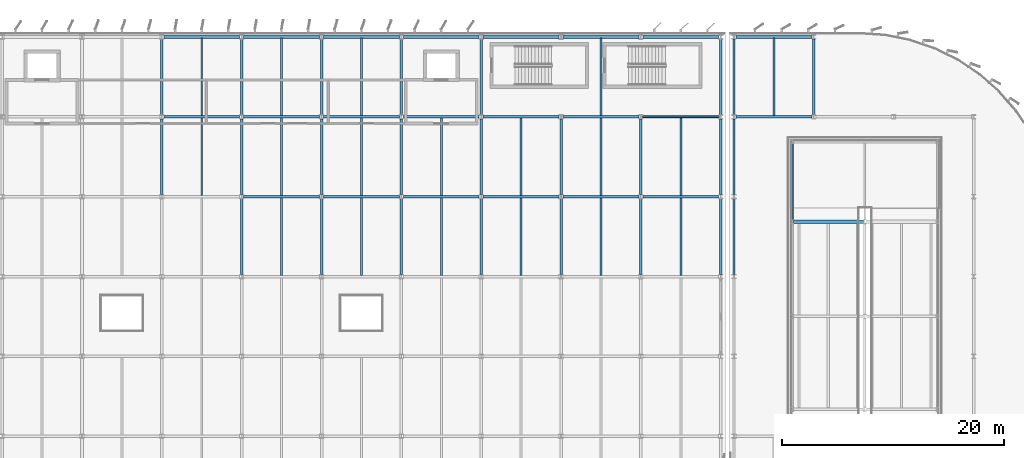
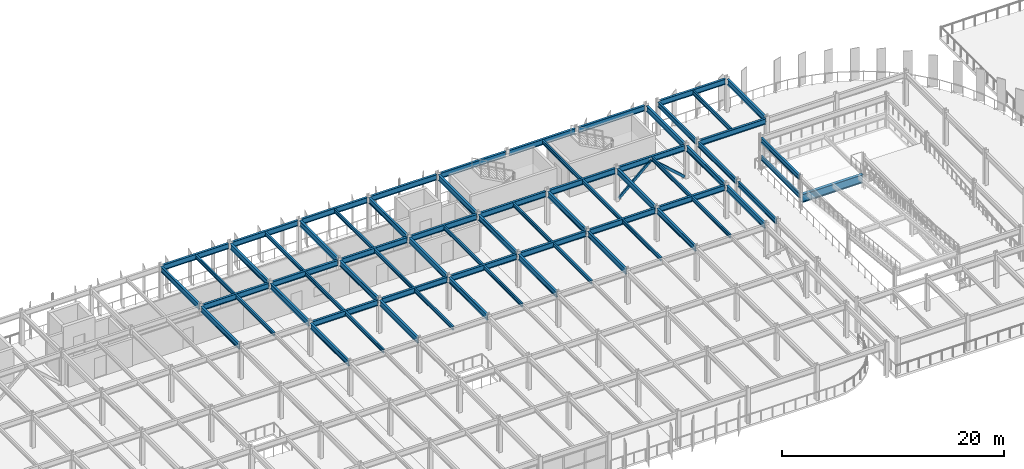
# One storey, part 20 of 52: 68 beams, 2 members.
"""IFC4 building model written with IfcOpenShell, lengths in metres."""

import ifcopenshell
import ifcopenshell.guid

model = None  # the IFC model being written
_history = None  # IfcOwnerHistory: only IFC2X3 demands one
_inside = {}  # id of a spatial element -> (the spatial element, [elements in it])
_under = {}  # id of a project, library or spatial element -> (it, [spatial elements below it])
_declared = {}  # id of a project -> (the project, [libraries it declares])
_typed = {}  # id of a type object -> (the type object, [elements of that type])
_made_of = {}  # id of a material, layer set ... -> (it, [elements and type objects made of it])


def new_model(schema):
    """Start an empty IFC model of exactly this schema.

    Asked for "IFC4X3", IfcOpenShell would pick the latest addendum, in which some entities
    have other attributes; the version numbers below select the first issue.
    IFC2X3 requires an IfcOwnerHistory on every rooted entity: one is made here for all.
    """
    global model, _history
    if schema == "IFC4X3":
        model = ifcopenshell.file(schema_version=(4, 3, 0, 0))
    else:
        model = ifcopenshell.file(schema=schema)
    _inside.clear()
    _under.clear()
    _declared.clear()
    _typed.clear()
    _made_of.clear()
    _history = None
    if model.schema == "IFC2X3":
        org = make("IfcOrganization", Name="unknown")
        user = make(
            "IfcPersonAndOrganization",
            ThePerson=make("IfcPerson", FamilyName="unknown"),
            TheOrganization=org,
        )
        app = make(
            "IfcApplication",
            ApplicationDeveloper=org,
            Version="unknown",
            ApplicationFullName="unknown",
            ApplicationIdentifier="unknown",
        )
        _history = make(
            "IfcOwnerHistory",
            OwningUser=user,
            OwningApplication=app,
            ChangeAction="ADDED",
            CreationDate=0,
        )
    return model


def make(cls, **values):
    """One entity of the class cls with the attributes given. An attribute that is None is left unset."""
    return model.create_entity(
        cls, **{name: value for name, value in values.items() if value is not None}
    )


def rooted(cls, **values):
    """An entity with a GlobalId (a new one), such as an element, a storey or a relation."""
    return make(cls, GlobalId=ifcopenshell.guid.new(), OwnerHistory=_history, **values)


def si_unit(unit_type, name, prefix=None):
    """IfcSIUnit, for example si_unit("LENGTHUNIT", "METRE", prefix="MILLI")."""
    return make("IfcSIUnit", UnitType=unit_type, Prefix=prefix, Name=name)


def assignment(units):
    """IfcUnitAssignment: the units of a project."""
    return None if units is None else make("IfcUnitAssignment", Units=units)


def point(xyz):
    """IfcCartesianPoint."""
    return None if xyz is None else make("IfcCartesianPoint", Coordinates=xyz)


def direction(xyz):
    """IfcDirection."""
    return None if xyz is None else make("IfcDirection", DirectionRatios=xyz)


def frame(location, z_axis=None, x_axis=None):
    """IfcAxis2Placement3D, a coordinate frame: its origin and axes. An axis left out is left unset."""
    return make(
        "IfcAxis2Placement3D",
        Location=point(location),
        Axis=direction(z_axis),
        RefDirection=direction(x_axis),
    )


def frame_2d(location, x_axis=None):
    """IfcAxis2Placement2D, a coordinate frame in the plane: its origin and x axis."""
    return make(
        "IfcAxis2Placement2D", Location=point(location), RefDirection=direction(x_axis)
    )


def origin():
    """The frame at (0, 0, 0) with its axes left unset."""
    return frame((0.0, 0.0, 0.0))


def origin_2d():
    """The frame at (0, 0) in the plane with its x axis left unset."""
    return frame_2d((0.0, 0.0))


def place(relative_to, where):
    """IfcLocalPlacement: puts the frame where relative to a parent placement (None: the world)."""
    return make(
        "IfcLocalPlacement", PlacementRelTo=relative_to, RelativePlacement=where
    )


def context(
    kind, dimensions, precision=None, world=None, true_north=None, identifier=None
):
    """IfcGeometricRepresentationContext, for example the 3D "Model" context."""
    return make(
        "IfcGeometricRepresentationContext",
        ContextIdentifier=identifier,
        ContextType=kind,
        CoordinateSpaceDimension=dimensions,
        Precision=precision,
        WorldCoordinateSystem=world,
        TrueNorth=true_north,
    )


def subcontext(parent, identifier, kind, view, scale=None):
    """IfcGeometricRepresentationSubContext, for example "Body" below "Model"."""
    return make(
        "IfcGeometricRepresentationSubContext",
        ContextIdentifier=identifier,
        ContextType=kind,
        ParentContext=parent,
        TargetScale=scale,
        TargetView=view,
    )


def project(units=None, contexts=None):
    """IfcProject with its units and contexts."""
    return rooted(
        "IfcProject",
        Name="project",
        RepresentationContexts=contexts,
        UnitsInContext=assignment(units),
    )


def spatial(cls, under=None, at=None, **own):
    """A site, building, storey or space (cls), placed at a placement, below another one or the project."""
    s = rooted(cls, ObjectPlacement=at, **own)
    if under is not None:
        _under.setdefault(under.id(), (under, []))[1].append(s)
    return s


def profile(cls, at=None, kind="AREA", **sizes):
    """A parametric profile (cls). Its sizes go by their IFC names, for example OverallWidth=200.0."""
    return make(cls, ProfileType=kind, Position=at, **sizes)


def hollow_rectangle(**sizes):
    """IfcRectangleHollowProfileDef."""
    return profile("IfcRectangleHollowProfileDef", **sizes)


def i_section(**sizes):
    """IfcIShapeProfileDef."""
    return profile("IfcIShapeProfileDef", **sizes)


def extrude(swept, where, along, depth):
    """IfcExtrudedAreaSolid: the profile swept, set in the frame where, extruded along a direction by depth."""
    return make(
        "IfcExtrudedAreaSolid",
        SweptArea=swept,
        Position=where,
        ExtrudedDirection=direction(along),
        Depth=depth,
    )


def shape(context_of_items, identifier, shape_type, items):
    """IfcShapeRepresentation: the items that make up one representation, for example the "Body"."""
    return make(
        "IfcShapeRepresentation",
        ContextOfItems=context_of_items,
        RepresentationIdentifier=identifier,
        RepresentationType=shape_type,
        Items=items,
    )


def material(Name=None, Category=None):
    """IfcMaterial."""
    return make("IfcMaterial", Name=Name, Category=Category)


def material_profile(
    of_material, cross_section, Name=None, Category=None, Priority=None
):
    """IfcMaterialProfile: a cross section and its material."""
    return make(
        "IfcMaterialProfile",
        Name=Name,
        Material=of_material,
        Profile=cross_section,
        Priority=Priority,
        Category=Category,
    )


def profile_set(profiles, Name=None, composite=None):
    """IfcMaterialProfileSet."""
    return make(
        "IfcMaterialProfileSet",
        Name=Name,
        MaterialProfiles=profiles,
        CompositeProfile=composite,
    )


def made_of(thing, what):
    """Note that an element or type object is made of a material, layer set ...; save() writes the relation."""
    if what is not None:
        _made_of.setdefault(what.id(), (what, []))[1].append(thing)
    return thing


def type_object(cls, material=None, **own):
    """A type object (cls), such as IfcWallType, which elements share."""
    return made_of(rooted(cls, **own), material)


def element(
    cls,
    number,
    at=None,
    inside=None,
    cuts=None,
    type_object=None,
    material=None,
    context=None,
    identifier="Body",
    shape_type=None,
    held_by="IfcProductDefinitionShape",
    body=None,
    shapes=None,
    **own,
):
    """One element of the class cls, such as IfcWall. Its Tag is "e" and its number.

    at: its placement. inside: the storey or other place that contains it. cuts: it is an
    opening in that element (IfcRelVoidsElement). A single representation is given by context,
    identifier, shape_type and body (its items); several are given by shapes. held_by: the class
    of the entity that holds the representations. save() writes the other relations.
    """
    e = rooted(cls, Tag="e%d" % number, ObjectPlacement=at, **own)
    if body is not None:
        shapes = [shape(context, identifier, shape_type, body)]
    if shapes is not None:
        e.Representation = make(held_by, Representations=shapes)
    if inside is not None:
        _inside.setdefault(inside.id(), (inside, []))[1].append(e)
    if cuts is not None:
        rooted(
            "IfcRelVoidsElement", RelatingBuildingElement=cuts, RelatedOpeningElement=e
        )
    if type_object is not None:
        _typed.setdefault(type_object.id(), (type_object, []))[1].append(e)
    return made_of(e, material)


def aggregate(whole, parts):
    """IfcRelAggregates: a whole, such as a stair, and the parts it consists of."""
    return rooted("IfcRelAggregates", RelatingObject=whole, RelatedObjects=parts)


def save(model, path):
    """Write the relations noted so far, then the file.

    IfcRelAggregates (storeys below a building ...), IfcRelContainedInSpatialStructure (elements
    in a storey), IfcRelDefinesByType, IfcRelAssociatesMaterial and IfcRelDeclares: one each for
    every whole, place, type object, material and project.
    """
    for whole, parts in _under.values():
        aggregate(whole, parts)
    for where, things in _inside.values():
        rooted(
            "IfcRelContainedInSpatialStructure",
            RelatedElements=things,
            RelatingStructure=where,
        )
    for kind, things in _typed.values():
        rooted("IfcRelDefinesByType", RelatedObjects=things, RelatingType=kind)
    for what, things in _made_of.values():
        rooted("IfcRelAssociatesMaterial", RelatedObjects=things, RelatingMaterial=what)
    for by, libraries in _declared.values():
        rooted("IfcRelDeclares", RelatingContext=by, RelatedDefinitions=libraries)
    model.write(path)


model = new_model("IFC4")

# Units and contexts
model_context = context("Model", 3, precision=1e-05, world=origin(), true_north=direction((0.0, 1.0)))
body_context = subcontext(model_context, "Body", "Model", "MODEL_VIEW")
ifc_project = project(units=[si_unit("LENGTHUNIT", "METRE"), si_unit("AREAUNIT", "SQUARE_METRE"), si_unit("VOLUMEUNIT", "CUBIC_METRE"), si_unit("PLANEANGLEUNIT", "RADIAN"), si_unit("MASSUNIT", "GRAM", prefix="KILO")], contexts=[model_context])

# Site, building, storey
site_placement = place(None, origin())
site = spatial("IfcSite", under=ifc_project, at=site_placement, CompositionType="ELEMENT")
building_placement = place(site_placement, origin())
building = spatial("IfcBuilding", under=site, at=building_placement, Name="Vaelcorin Mobility Hub", CompositionType="ELEMENT")
storey_placement = place(building_placement, frame((0.0, 0.0, 13.199951171875)))
storey = spatial("IfcBuildingStorey", under=building, at=storey_placement, Name="L03", CompositionType="ELEMENT", Elevation=13.199951171875)

# Beams
ifc_material_1 = material(Name="Steel ASTM A992 Grade 50", Category="steel")
ifc_material_profile_1 = material_profile(ifc_material_1, i_section(OverallWidth=0.177978515625, OverallDepth=0.404052734375, WebThickness=0.007568359375, FlangeThickness=0.010986328125, FilletRadius=0.012939453125, at=origin_2d()), Name="W16X36")
ifc_profile_set_1 = profile_set([ifc_material_profile_1], Name="Steel ASTM A992 Grade 50")
beam_type_1 = type_object("IfcBeamType", Name="BM-W16X36", PredefinedType="JOIST", material=ifc_profile_set_1)
beam_1_placement = place(storey_placement, frame((75.60009765625, 105.7119140625, 3.4580078125), z_axis=(0.0, 1.0, 0.0), x_axis=(-1.0, 0.0, 0.0)))
element("IfcBeam", 1, at=beam_1_placement, inside=storey, type_object=beam_type_1, Name="L03 Beam V4-L03-J-06-04-1", PredefinedType="JOIST", context=body_context, shape_type="SweptSolid", body=[
    extrude(i_section(OverallWidth=0.177978515625, OverallDepth=0.404052734375, WebThickness=0.007568359375, FlangeThickness=0.010986328125, FilletRadius=0.012939453125, at=origin_2d()), origin(), (0.0, 0.0, 1.0), 6.97607421875),
])
beam_2_placement = place(storey_placement, frame((75.60009765625, 112.912109375, 3.4580078125), z_axis=(0.0, 1.0, 0.0), x_axis=(-1.0, 0.0, 0.0)))
element("IfcBeam", 2, at=beam_2_placement, inside=storey, type_object=beam_type_1, Name="L03 Beam V4-L03-J-06-05-1", PredefinedType="JOIST", context=body_context, shape_type="SweptSolid", body=[
    extrude(i_section(OverallWidth=0.177978515625, OverallDepth=0.404052734375, WebThickness=0.007568359375, FlangeThickness=0.010986328125, FilletRadius=0.012939453125, at=origin_2d()), origin(), (0.0, 0.0, 1.0), 6.975830078125),
])
for number, where, z_axis, x_axis, name in (
    (3, (82.800048828125, 98.511962890625, 3.4580078125), (0.0, 1.0, 0.0), (-1.0, 0.0, 0.0), "L03 Beam V4-L03-J-07-03-1"),
    (4, (82.800048828125, 105.7119140625, 3.4580078125), (0.0, 1.0, 0.0), (-1.0, 0.0, 0.0), "L03 Beam V4-L03-J-07-04-1"),
):
    element("IfcBeam", number, at=place(storey_placement, frame(where, z_axis=z_axis, x_axis=x_axis)), inside=storey, type_object=beam_type_1, Name=name, PredefinedType="JOIST", context=body_context, shape_type="SweptSolid", body=[
        extrude(i_section(OverallWidth=0.177978515625, OverallDepth=0.404052734375, WebThickness=0.007568359375, FlangeThickness=0.010986328125, FilletRadius=0.012939453125, at=origin_2d()), origin(), (0.0, 0.0, 1.0), 6.97607421875),
    ])
beam_3_placement = place(storey_placement, frame((82.800048828125, 112.912109375, 3.4580078125), z_axis=(0.0, 1.0, 0.0), x_axis=(-1.0, 0.0, 0.0)))
element("IfcBeam", 5, at=beam_3_placement, inside=storey, type_object=beam_type_1, Name="L03 Beam V4-L03-J-07-05-1", PredefinedType="JOIST", context=body_context, shape_type="SweptSolid", body=[
    extrude(i_section(OverallWidth=0.177978515625, OverallDepth=0.404052734375, WebThickness=0.007568359375, FlangeThickness=0.010986328125, FilletRadius=0.012939453125, at=origin_2d()), origin(), (0.0, 0.0, 1.0), 6.975830078125),
])
for number, where, z_axis, x_axis, name in (
    (6, (90.0, 98.511962890625, 3.4580078125), (0.0, 1.0, 0.0), (-1.0, 0.0, 0.0), "L03 Beam V4-L03-J-08-03-1"),
    (7, (90.0, 105.7119140625, 3.4580078125), (0.0, 1.0, 0.0), (-1.0, 0.0, 0.0), "L03 Beam V4-L03-J-08-04-1"),
):
    element("IfcBeam", number, at=place(storey_placement, frame(where, z_axis=z_axis, x_axis=x_axis)), inside=storey, type_object=beam_type_1, Name=name, PredefinedType="JOIST", context=body_context, shape_type="SweptSolid", body=[
        extrude(i_section(OverallWidth=0.177978515625, OverallDepth=0.404052734375, WebThickness=0.007568359375, FlangeThickness=0.010986328125, FilletRadius=0.012939453125, at=origin_2d()), origin(), (0.0, 0.0, 1.0), 6.97607421875),
    ])
beam_4_placement = place(storey_placement, frame((90.0, 112.912109375, 3.4580078125), z_axis=(0.0, 1.0, 0.0), x_axis=(-1.0, 0.0, 0.0)))
element("IfcBeam", 8, at=beam_4_placement, inside=storey, type_object=beam_type_1, Name="L03 Beam V4-L03-J-08-05-1", PredefinedType="JOIST", context=body_context, shape_type="SweptSolid", body=[
    extrude(i_section(OverallWidth=0.177978515625, OverallDepth=0.404052734375, WebThickness=0.007568359375, FlangeThickness=0.010986328125, FilletRadius=0.012939453125, at=origin_2d()), origin(), (0.0, 0.0, 1.0), 6.975830078125),
])
for number, where, z_axis, x_axis, name in (
    (9, (97.199951171875, 98.511962890625, 3.4580078125), (0.0, 1.0, 0.0), (-1.0, 0.0, 0.0), "L03 Beam V4-L03-J-09-03-1"),
    (10, (97.199951171875, 105.7119140625, 3.4580078125), (0.0, 1.0, 0.0), (-1.0, 0.0, 0.0), "L03 Beam V4-L03-J-09-04-1"),
    (11, (104.39990234375, 98.511962890625, 3.4580078125), (0.0, 1.0, 0.0), (-1.0, 0.0, 0.0), "L03 Beam V4-L03-J-10-03-1"),
    (12, (104.39990234375, 105.7119140625, 3.4580078125), (0.0, 1.0, 0.0), (-1.0, 0.0, 0.0), "L03 Beam V4-L03-J-10-04-1"),
    (13, (111.60009765625, 98.511962890625, 3.4580078125), (0.0, 1.0, 0.0), (-1.0, 0.0, 0.0), "L03 Beam V4-L03-J-11-03-1"),
    (14, (111.60009765625, 105.7119140625, 3.4580078125), (0.0, 1.0, 0.0), (-1.0, 0.0, 0.0), "L03 Beam V4-L03-J-11-04-1"),
):
    element("IfcBeam", number, at=place(storey_placement, frame(where, z_axis=z_axis, x_axis=x_axis)), inside=storey, type_object=beam_type_1, Name=name, PredefinedType="JOIST", context=body_context, shape_type="SweptSolid", body=[
        extrude(i_section(OverallWidth=0.177978515625, OverallDepth=0.404052734375, WebThickness=0.007568359375, FlangeThickness=0.010986328125, FilletRadius=0.012939453125, at=origin_2d()), origin(), (0.0, 0.0, 1.0), 6.97607421875),
    ])
beam_5_placement = place(storey_placement, frame((111.60009765625, 112.912109375, 3.4580078125), z_axis=(0.0, 1.0, 0.0), x_axis=(-1.0, 0.0, 0.0)))
element("IfcBeam", 15, at=beam_5_placement, inside=storey, type_object=beam_type_1, Name="L03 Beam V4-L03-J-11-05-1", PredefinedType="JOIST", context=body_context, shape_type="SweptSolid", body=[
    extrude(i_section(OverallWidth=0.177978515625, OverallDepth=0.404052734375, WebThickness=0.007568359375, FlangeThickness=0.010986328125, FilletRadius=0.012939453125, at=origin_2d()), origin(), (0.0, 0.0, 1.0), 6.975830078125),
])
for number, where, z_axis, x_axis, name in (
    (16, (118.800048828125, 98.511962890625, 3.4580078125), (0.0, 1.0, 0.0), (-1.0, 0.0, 0.0), "L03 Beam V4-L03-J-12-03-1"),
    (17, (118.800048828125, 105.7119140625, 3.4580078125), (0.0, 1.0, 0.0), (-1.0, 0.0, 0.0), "L03 Beam V4-L03-J-12-04-1"),
):
    element("IfcBeam", number, at=place(storey_placement, frame(where, z_axis=z_axis, x_axis=x_axis)), inside=storey, type_object=beam_type_1, Name=name, PredefinedType="JOIST", context=body_context, shape_type="SweptSolid", body=[
        extrude(i_section(OverallWidth=0.177978515625, OverallDepth=0.404052734375, WebThickness=0.007568359375, FlangeThickness=0.010986328125, FilletRadius=0.012939453125, at=origin_2d()), origin(), (0.0, 0.0, 1.0), 6.97607421875),
    ])
ifc_material_profile_2 = material_profile(ifc_material_1, i_section(OverallWidth=0.152099609375, OverallDepth=0.455078125, WebThickness=0.008056640625, FlangeThickness=0.01318359375, FilletRadius=0.012939453125, at=origin_2d()), Name="W18X40")
ifc_profile_set_2 = profile_set([ifc_material_profile_2], Name="Steel ASTM A992 Grade 50")
beam_type_2 = type_object("IfcBeamType", Name="BM-W18X40", PredefinedType="JOIST", material=ifc_profile_set_2)
beam_6_placement = place(storey_placement, frame((127.199951171875, 112.912109375, 3.423095703125), z_axis=(0.0, 1.0, 0.0), x_axis=(-1.0, 0.0, 0.0)))
element("IfcBeam", 18, at=beam_6_placement, inside=storey, type_object=beam_type_2, Name="L03 Beam V2E-L03-J-01-06-1", PredefinedType="JOIST", context=body_context, shape_type="SweptSolid", body=[
    extrude(i_section(OverallWidth=0.152099609375, OverallDepth=0.455078125, WebThickness=0.008056640625, FlangeThickness=0.01318359375, FilletRadius=0.012939453125, at=origin_2d()), origin(), (0.0, 0.0, 1.0), 6.975830078125),
])
ifc_material_profile_3 = material_profile(ifc_material_1, i_section(OverallWidth=0.166015625, OverallDepth=0.528076171875, WebThickness=0.009765625, FlangeThickness=0.013671875, FilletRadius=0.013916015625, at=origin_2d()), Name="W21X50")
ifc_profile_set_3 = profile_set([ifc_material_profile_3], Name="Steel ASTM A992 Grade 50")
beam_type_3 = type_object("IfcBeamType", Name="BM-W21X50", PredefinedType="JOIST", material=ifc_profile_set_3)
beam_7_placement = place(storey_placement, frame((128.85009765625, 103.52490234375, 1.39697265625), z_axis=(0.0, 1.0, 0.0), x_axis=(-1.0, 0.0, 0.0)))
element("IfcBeam", 19, at=beam_7_placement, inside=storey, type_object=beam_type_3, Name="Vehicle Ramp VR-2 L03 Landing West Edge Beam", PredefinedType="JOIST", context=body_context, shape_type="SweptSolid", body=[
    extrude(i_section(OverallWidth=0.166015625, OverallDepth=0.528076171875, WebThickness=0.009765625, FlangeThickness=0.013671875, FilletRadius=0.013916015625, at=origin_2d()), origin(), (0.0, 0.0, 1.0), 6.85009765625),
])
ifc_material_profile_4 = material_profile(ifc_material_1, i_section(OverallWidth=0.2099609375, OverallDepth=0.535888671875, WebThickness=0.010986328125, FlangeThickness=0.017333984375, FilletRadius=0.013916015625, at=origin_2d()), Name="W21X68")
ifc_profile_set_4 = profile_set([ifc_material_profile_4], Name="Steel ASTM A992 Grade 50")
beam_type_4 = type_object("IfcBeamType", Name="BM-W21X68", PredefinedType="SPANDREL", material=ifc_profile_set_4)
for number, where, z_axis, x_axis, name in (
    (20, (123.60009765625, 98.575927734375, 3.382080078125), (0.0, 1.0, 0.0), (-1.0, 0.0, 0.0), "L03 Beam V2E-L03-GY-01-04"),
    (21, (123.60009765625, 105.77587890625, 3.382080078125), (0.0, 1.0, 0.0), (-1.0, 0.0, 0.0), "L03 Beam V2E-L03-GY-01-05"),
):
    element("IfcBeam", number, at=place(storey_placement, frame(where, z_axis=z_axis, x_axis=x_axis)), inside=storey, type_object=beam_type_4, Name=name, PredefinedType="SPANDREL", context=body_context, shape_type="SweptSolid", body=[
        extrude(i_section(OverallWidth=0.2099609375, OverallDepth=0.535888671875, WebThickness=0.010986328125, FlangeThickness=0.017333984375, FilletRadius=0.013916015625, at=origin_2d()), origin(), (0.0, 0.0, 1.0), 6.84814453125),
    ])
beam_8_placement = place(storey_placement, frame((123.60009765625, 112.97607421875, 3.382080078125), z_axis=(0.0, 1.0, 0.0), x_axis=(-1.0, 0.0, 0.0)))
element("IfcBeam", 22, at=beam_8_placement, inside=storey, type_object=beam_type_4, Name="L03 Beam V2E-L03-GY-01-06", PredefinedType="SPANDREL", context=body_context, shape_type="SweptSolid", body=[
    extrude(i_section(OverallWidth=0.2099609375, OverallDepth=0.535888671875, WebThickness=0.010986328125, FlangeThickness=0.017333984375, FilletRadius=0.013916015625, at=origin_2d()), origin(), (0.0, 0.0, 1.0), 6.847900390625),
])
beam_9_placement = place(storey_placement, frame((128.85009765625, 103.52490234375, 3.382080078125), z_axis=(0.0, 1.0, 0.0), x_axis=(-1.0, 0.0, 0.0)))
element("IfcBeam", 23, at=beam_9_placement, inside=storey, type_object=beam_type_4, Name="V2E Ramp Top Tie W3", PredefinedType="SPANDREL", context=body_context, shape_type="SweptSolid", body=[
    extrude(i_section(OverallWidth=0.2099609375, OverallDepth=0.535888671875, WebThickness=0.010986328125, FlangeThickness=0.017333984375, FilletRadius=0.013916015625, at=origin_2d()), origin(), (0.0, 0.0, 1.0), 6.85009765625),
])
ifc_material_profile_5 = material_profile(ifc_material_1, i_section(OverallWidth=0.22802734375, OverallDepth=0.60205078125, WebThickness=0.010498046875, FlangeThickness=0.014892578125, FilletRadius=0.014892578125, at=origin_2d()), Name="W24X68")
ifc_profile_set_5 = profile_set([ifc_material_profile_5], Name="Steel ASTM A992 Grade 50")
beam_type_5 = type_object("IfcBeamType", Name="BM-W24X68", PredefinedType="SPANDREL", material=ifc_profile_set_5)
for number, where, z_axis, x_axis, name in (
    (24, (72.18408203125, 120.0, 3.359130859375), (1.0, 0.0, 0.0), (0.0, 1.0, 0.0), "L03 Beam V4-L03-GX-06-06"),
    (25, (79.384033203125, 120.0, 3.359130859375), (1.0, 0.0, 0.0), (0.0, 1.0, 0.0), "L03 Beam V4-L03-GX-06-07"),
):
    element("IfcBeam", number, at=place(storey_placement, frame(where, z_axis=z_axis, x_axis=x_axis)), inside=storey, type_object=beam_type_5, Name=name, PredefinedType="SPANDREL", context=body_context, shape_type="SweptSolid", body=[
        extrude(i_section(OverallWidth=0.22802734375, OverallDepth=0.60205078125, WebThickness=0.010498046875, FlangeThickness=0.014892578125, FilletRadius=0.014892578125, at=origin_2d()), origin(), (0.0, 0.0, 1.0), 6.8330078125),
    ])
beam_10_placement = place(storey_placement, frame((86.583984375, 120.0, 3.359130859375), z_axis=(1.0, 0.0, 0.0), x_axis=(0.0, 1.0, 0.0)))
element("IfcBeam", 26, at=beam_10_placement, inside=storey, type_object=beam_type_5, Name="L03 Beam V4-L03-GX-06-08", PredefinedType="SPANDREL", context=body_context, shape_type="SweptSolid", body=[
    extrude(i_section(OverallWidth=0.22802734375, OverallDepth=0.60205078125, WebThickness=0.010498046875, FlangeThickness=0.014892578125, FilletRadius=0.014892578125, at=origin_2d()), origin(), (0.0, 0.0, 1.0), 6.83203125),
])
for number, where, z_axis, x_axis, name in (
    (27, (93.782958984375, 120.0, 3.359130859375), (1.0, 0.0, 0.0), (0.0, 1.0, 0.0), "L03 Beam V4-L03-GX-06-09"),
    (28, (100.98291015625, 120.0, 3.359130859375), (1.0, 0.0, 0.0), (0.0, 1.0, 0.0), "L03 Beam V4-L03-GX-06-10"),
    (29, (108.18408203125, 120.0, 3.359130859375), (1.0, 0.0, 0.0), (0.0, 1.0, 0.0), "L03 Beam V4-L03-GX-06-11"),
    (30, (115.384033203125, 120.0, 3.359130859375), (1.0, 0.0, 0.0), (0.0, 1.0, 0.0), "L03 Beam V4-L03-GX-06-12"),
):
    element("IfcBeam", number, at=place(storey_placement, frame(where, z_axis=z_axis, x_axis=x_axis)), inside=storey, type_object=beam_type_5, Name=name, PredefinedType="SPANDREL", context=body_context, shape_type="SweptSolid", body=[
        extrude(i_section(OverallWidth=0.22802734375, OverallDepth=0.60205078125, WebThickness=0.010498046875, FlangeThickness=0.014892578125, FilletRadius=0.014892578125, at=origin_2d()), origin(), (0.0, 0.0, 1.0), 6.8330078125),
    ])
beam_11_placement = place(storey_placement, frame((72.0, 105.780029296875, 3.359130859375), z_axis=(0.0, 1.0, 0.0), x_axis=(-1.0, 0.0, 0.0)))
element("IfcBeam", 31, at=beam_11_placement, inside=storey, type_object=beam_type_5, Name="L03 Beam V4-L03-GY-06-04", PredefinedType="SPANDREL", context=body_context, shape_type="SweptSolid", body=[
    extrude(i_section(OverallWidth=0.22802734375, OverallDepth=0.60205078125, WebThickness=0.010498046875, FlangeThickness=0.014892578125, FilletRadius=0.014892578125, at=origin_2d()), origin(), (0.0, 0.0, 1.0), 6.8359375),
])
beam_12_placement = place(storey_placement, frame((72.0, 112.98388671875, 3.359130859375), z_axis=(0.0, 1.0, 0.0), x_axis=(-1.0, 0.0, 0.0)))
element("IfcBeam", 32, at=beam_12_placement, inside=storey, type_object=beam_type_5, Name="L03 Beam V4-L03-GY-06-05", PredefinedType="SPANDREL", context=body_context, shape_type="SweptSolid", body=[
    extrude(i_section(OverallWidth=0.22802734375, OverallDepth=0.60205078125, WebThickness=0.010498046875, FlangeThickness=0.014892578125, FilletRadius=0.014892578125, at=origin_2d()), origin(), (0.0, 0.0, 1.0), 6.836181640625),
])
beam_13_placement = place(storey_placement, frame((79.199951171875, 98.580078125, 3.359130859375), z_axis=(0.0, 1.0, 0.0), x_axis=(-1.0, 0.0, 0.0)))
element("IfcBeam", 33, at=beam_13_placement, inside=storey, type_object=beam_type_5, Name="L03 Beam V4-L03-GY-07-03", PredefinedType="SPANDREL", context=body_context, shape_type="SweptSolid", body=[
    extrude(i_section(OverallWidth=0.22802734375, OverallDepth=0.60205078125, WebThickness=0.010498046875, FlangeThickness=0.014892578125, FilletRadius=0.014892578125, at=origin_2d()), origin(), (0.0, 0.0, 1.0), 6.83984375),
])
beam_14_placement = place(storey_placement, frame((79.199951171875, 105.780029296875, 3.359130859375), z_axis=(0.0, 1.0, 0.0), x_axis=(-1.0, 0.0, 0.0)))
element("IfcBeam", 34, at=beam_14_placement, inside=storey, type_object=beam_type_5, Name="L03 Beam V4-L03-GY-07-04", PredefinedType="SPANDREL", context=body_context, shape_type="SweptSolid", body=[
    extrude(i_section(OverallWidth=0.22802734375, OverallDepth=0.60205078125, WebThickness=0.010498046875, FlangeThickness=0.014892578125, FilletRadius=0.014892578125, at=origin_2d()), origin(), (0.0, 0.0, 1.0), 6.8359375),
])
beam_15_placement = place(storey_placement, frame((79.199951171875, 112.98388671875, 3.359130859375), z_axis=(0.0, 1.0, 0.0), x_axis=(-1.0, 0.0, 0.0)))
element("IfcBeam", 35, at=beam_15_placement, inside=storey, type_object=beam_type_5, Name="L03 Beam V4-L03-GY-07-05", PredefinedType="SPANDREL", context=body_context, shape_type="SweptSolid", body=[
    extrude(i_section(OverallWidth=0.22802734375, OverallDepth=0.60205078125, WebThickness=0.010498046875, FlangeThickness=0.014892578125, FilletRadius=0.014892578125, at=origin_2d()), origin(), (0.0, 0.0, 1.0), 6.836181640625),
])
beam_16_placement = place(storey_placement, frame((86.39990234375, 98.580078125, 3.359130859375), z_axis=(0.0, 1.0, 0.0), x_axis=(-1.0, 0.0, 0.0)))
element("IfcBeam", 36, at=beam_16_placement, inside=storey, type_object=beam_type_5, Name="L03 Beam V4-L03-GY-08-03", PredefinedType="SPANDREL", context=body_context, shape_type="SweptSolid", body=[
    extrude(i_section(OverallWidth=0.22802734375, OverallDepth=0.60205078125, WebThickness=0.010498046875, FlangeThickness=0.014892578125, FilletRadius=0.014892578125, at=origin_2d()), origin(), (0.0, 0.0, 1.0), 6.83984375),
])
beam_17_placement = place(storey_placement, frame((86.39990234375, 105.780029296875, 3.359130859375), z_axis=(0.0, 1.0, 0.0), x_axis=(-1.0, 0.0, 0.0)))
element("IfcBeam", 37, at=beam_17_placement, inside=storey, type_object=beam_type_5, Name="L03 Beam V4-L03-GY-08-04", PredefinedType="SPANDREL", context=body_context, shape_type="SweptSolid", body=[
    extrude(i_section(OverallWidth=0.22802734375, OverallDepth=0.60205078125, WebThickness=0.010498046875, FlangeThickness=0.014892578125, FilletRadius=0.014892578125, at=origin_2d()), origin(), (0.0, 0.0, 1.0), 6.8359375),
])
beam_18_placement = place(storey_placement, frame((86.39990234375, 112.98388671875, 3.359130859375), z_axis=(0.0, 1.0, 0.0), x_axis=(-1.0, 0.0, 0.0)))
element("IfcBeam", 38, at=beam_18_placement, inside=storey, type_object=beam_type_5, Name="L03 Beam V4-L03-GY-08-05", PredefinedType="SPANDREL", context=body_context, shape_type="SweptSolid", body=[
    extrude(i_section(OverallWidth=0.22802734375, OverallDepth=0.60205078125, WebThickness=0.010498046875, FlangeThickness=0.014892578125, FilletRadius=0.014892578125, at=origin_2d()), origin(), (0.0, 0.0, 1.0), 6.836181640625),
])
beam_19_placement = place(storey_placement, frame((93.60009765625, 98.580078125, 3.359130859375), z_axis=(0.0, 1.0, 0.0), x_axis=(-1.0, 0.0, 0.0)))
element("IfcBeam", 39, at=beam_19_placement, inside=storey, type_object=beam_type_5, Name="L03 Beam V4-L03-GY-09-03", PredefinedType="SPANDREL", context=body_context, shape_type="SweptSolid", body=[
    extrude(i_section(OverallWidth=0.22802734375, OverallDepth=0.60205078125, WebThickness=0.010498046875, FlangeThickness=0.014892578125, FilletRadius=0.014892578125, at=origin_2d()), origin(), (0.0, 0.0, 1.0), 6.83984375),
])
beam_20_placement = place(storey_placement, frame((93.60009765625, 105.780029296875, 3.359130859375), z_axis=(0.0, 1.0, 0.0), x_axis=(-1.0, 0.0, 0.0)))
element("IfcBeam", 40, at=beam_20_placement, inside=storey, type_object=beam_type_5, Name="L03 Beam V4-L03-GY-09-04", PredefinedType="SPANDREL", context=body_context, shape_type="SweptSolid", body=[
    extrude(i_section(OverallWidth=0.22802734375, OverallDepth=0.60205078125, WebThickness=0.010498046875, FlangeThickness=0.014892578125, FilletRadius=0.014892578125, at=origin_2d()), origin(), (0.0, 0.0, 1.0), 6.8359375),
])
beam_21_placement = place(storey_placement, frame((93.60009765625, 112.98388671875, 3.359130859375), z_axis=(0.0, 1.0, 0.0), x_axis=(-1.0, 0.0, 0.0)))
element("IfcBeam", 41, at=beam_21_placement, inside=storey, type_object=beam_type_5, Name="L03 Beam V4-L03-GY-09-05", PredefinedType="SPANDREL", context=body_context, shape_type="SweptSolid", body=[
    extrude(i_section(OverallWidth=0.22802734375, OverallDepth=0.60205078125, WebThickness=0.010498046875, FlangeThickness=0.014892578125, FilletRadius=0.014892578125, at=origin_2d()), origin(), (0.0, 0.0, 1.0), 6.836181640625),
])
beam_22_placement = place(storey_placement, frame((100.800048828125, 98.580078125, 3.359130859375), z_axis=(0.0, 1.0, 0.0), x_axis=(-1.0, 0.0, 0.0)))
element("IfcBeam", 42, at=beam_22_placement, inside=storey, type_object=beam_type_5, Name="L03 Beam V4-L03-GY-10-03", PredefinedType="SPANDREL", context=body_context, shape_type="SweptSolid", body=[
    extrude(i_section(OverallWidth=0.22802734375, OverallDepth=0.60205078125, WebThickness=0.010498046875, FlangeThickness=0.014892578125, FilletRadius=0.014892578125, at=origin_2d()), origin(), (0.0, 0.0, 1.0), 6.83984375),
])
beam_23_placement = place(storey_placement, frame((100.800048828125, 105.780029296875, 3.359130859375), z_axis=(0.0, 1.0, 0.0), x_axis=(-1.0, 0.0, 0.0)))
element("IfcBeam", 43, at=beam_23_placement, inside=storey, type_object=beam_type_5, Name="L03 Beam V4-L03-GY-10-04", PredefinedType="SPANDREL", context=body_context, shape_type="SweptSolid", body=[
    extrude(i_section(OverallWidth=0.22802734375, OverallDepth=0.60205078125, WebThickness=0.010498046875, FlangeThickness=0.014892578125, FilletRadius=0.014892578125, at=origin_2d()), origin(), (0.0, 0.0, 1.0), 6.8359375),
])
beam_24_placement = place(storey_placement, frame((100.800048828125, 112.98388671875, 3.359130859375), z_axis=(0.0, 1.0, 0.0), x_axis=(-1.0, 0.0, 0.0)))
element("IfcBeam", 44, at=beam_24_placement, inside=storey, type_object=beam_type_5, Name="L03 Beam V4-L03-GY-10-05", PredefinedType="SPANDREL", context=body_context, shape_type="SweptSolid", body=[
    extrude(i_section(OverallWidth=0.22802734375, OverallDepth=0.60205078125, WebThickness=0.010498046875, FlangeThickness=0.014892578125, FilletRadius=0.014892578125, at=origin_2d()), origin(), (0.0, 0.0, 1.0), 6.836181640625),
])
beam_25_placement = place(storey_placement, frame((108.0, 98.580078125, 3.359130859375), z_axis=(0.0, 1.0, 0.0), x_axis=(-1.0, 0.0, 0.0)))
element("IfcBeam", 45, at=beam_25_placement, inside=storey, type_object=beam_type_5, Name="L03 Beam V4-L03-GY-11-03", PredefinedType="SPANDREL", context=body_context, shape_type="SweptSolid", body=[
    extrude(i_section(OverallWidth=0.22802734375, OverallDepth=0.60205078125, WebThickness=0.010498046875, FlangeThickness=0.014892578125, FilletRadius=0.014892578125, at=origin_2d()), origin(), (0.0, 0.0, 1.0), 6.83984375),
])
beam_26_placement = place(storey_placement, frame((108.0, 105.780029296875, 3.359130859375), z_axis=(0.0, 1.0, 0.0), x_axis=(-1.0, 0.0, 0.0)))
element("IfcBeam", 46, at=beam_26_placement, inside=storey, type_object=beam_type_5, Name="L03 Beam V4-L03-GY-11-04", PredefinedType="SPANDREL", context=body_context, shape_type="SweptSolid", body=[
    extrude(i_section(OverallWidth=0.22802734375, OverallDepth=0.60205078125, WebThickness=0.010498046875, FlangeThickness=0.014892578125, FilletRadius=0.014892578125, at=origin_2d()), origin(), (0.0, 0.0, 1.0), 6.8359375),
])
beam_27_placement = place(storey_placement, frame((115.199951171875, 98.580078125, 3.359130859375), z_axis=(0.0, 1.0, 0.0), x_axis=(-1.0, 0.0, 0.0)))
element("IfcBeam", 47, at=beam_27_placement, inside=storey, type_object=beam_type_5, Name="L03 Beam V4-L03-GY-12-03", PredefinedType="SPANDREL", context=body_context, shape_type="SweptSolid", body=[
    extrude(i_section(OverallWidth=0.22802734375, OverallDepth=0.60205078125, WebThickness=0.010498046875, FlangeThickness=0.014892578125, FilletRadius=0.014892578125, at=origin_2d()), origin(), (0.0, 0.0, 1.0), 6.83984375),
])
beam_28_placement = place(storey_placement, frame((115.199951171875, 105.780029296875, 3.359130859375), z_axis=(0.0, 1.0, 0.0), x_axis=(-1.0, 0.0, 0.0)))
element("IfcBeam", 48, at=beam_28_placement, inside=storey, type_object=beam_type_5, Name="L03 Beam V4-L03-GY-12-04", PredefinedType="SPANDREL", context=body_context, shape_type="SweptSolid", body=[
    extrude(i_section(OverallWidth=0.22802734375, OverallDepth=0.60205078125, WebThickness=0.010498046875, FlangeThickness=0.014892578125, FilletRadius=0.014892578125, at=origin_2d()), origin(), (0.0, 0.0, 1.0), 6.8359375),
])
beam_29_placement = place(storey_placement, frame((122.39990234375, 98.580078125, 3.359130859375), z_axis=(0.0, 1.0, 0.0), x_axis=(-1.0, 0.0, 0.0)))
element("IfcBeam", 49, at=beam_29_placement, inside=storey, type_object=beam_type_5, Name="L03 Beam V4-L03-GY-13-03", PredefinedType="SPANDREL", context=body_context, shape_type="SweptSolid", body=[
    extrude(i_section(OverallWidth=0.22802734375, OverallDepth=0.60205078125, WebThickness=0.010498046875, FlangeThickness=0.014892578125, FilletRadius=0.014892578125, at=origin_2d()), origin(), (0.0, 0.0, 1.0), 6.83984375),
])
beam_30_placement = place(storey_placement, frame((122.39990234375, 105.780029296875, 3.359130859375), z_axis=(0.0, 1.0, 0.0), x_axis=(-1.0, 0.0, 0.0)))
element("IfcBeam", 50, at=beam_30_placement, inside=storey, type_object=beam_type_5, Name="L03 Beam V4-L03-GY-13-04", PredefinedType="SPANDREL", context=body_context, shape_type="SweptSolid", body=[
    extrude(i_section(OverallWidth=0.22802734375, OverallDepth=0.60205078125, WebThickness=0.010498046875, FlangeThickness=0.014892578125, FilletRadius=0.014892578125, at=origin_2d()), origin(), (0.0, 0.0, 1.0), 6.8359375),
])
beam_31_placement = place(storey_placement, frame((122.39990234375, 112.98388671875, 3.359130859375), z_axis=(0.0, 1.0, 0.0), x_axis=(-1.0, 0.0, 0.0)))
element("IfcBeam", 51, at=beam_31_placement, inside=storey, type_object=beam_type_5, Name="L03 Beam V4-L03-GY-13-05", PredefinedType="SPANDREL", context=body_context, shape_type="SweptSolid", body=[
    extrude(i_section(OverallWidth=0.22802734375, OverallDepth=0.60205078125, WebThickness=0.010498046875, FlangeThickness=0.014892578125, FilletRadius=0.014892578125, at=origin_2d()), origin(), (0.0, 0.0, 1.0), 6.836181640625),
])
beam_32_placement = place(storey_placement, frame((123.781982421875, 120.0, 3.34912109375), z_axis=(1.0, 0.0, 0.0), x_axis=(0.0, 1.0, 0.0)))
element("IfcBeam", 52, at=beam_32_placement, inside=storey, type_object=beam_type_5, Name="L03 Beam V2E-L03-GX-07-01", PredefinedType="SPANDREL", context=body_context, shape_type="SweptSolid", body=[
    extrude(i_section(OverallWidth=0.22802734375, OverallDepth=0.60205078125, WebThickness=0.010498046875, FlangeThickness=0.014892578125, FilletRadius=0.014892578125, at=origin_2d()), origin(), (0.0, 0.0, 1.0), 6.8359375),
])
ifc_material_profile_6 = material_profile(ifc_material_1, i_section(OverallWidth=0.22900390625, OverallDepth=0.612060546875, WebThickness=0.011962890625, FlangeThickness=0.01953125, FilletRadius=0.014892578125, at=origin_2d()), Name="W24X84")
ifc_profile_set_6 = profile_set([ifc_material_profile_6], Name="Steel ASTM A992 Grade 50")
beam_type_6 = type_object("IfcBeamType", Name="BM-W24X84", PredefinedType="BEAM", material=ifc_profile_set_6)
beam_33_placement = place(storey_placement, frame((79.384033203125, 105.60009765625, 3.35400390625), z_axis=(1.0, 0.0, 0.0), x_axis=(0.0, 1.0, 0.0)))
element("IfcBeam", 53, at=beam_33_placement, inside=storey, type_object=beam_type_6, Name="L03 Beam V4-L03-GX-04-07", PredefinedType="BEAM", context=body_context, shape_type="SweptSolid", body=[
    extrude(i_section(OverallWidth=0.22900390625, OverallDepth=0.612060546875, WebThickness=0.011962890625, FlangeThickness=0.01953125, FilletRadius=0.014892578125, at=origin_2d()), origin(), (0.0, 0.0, 1.0), 6.8330078125),
])
beam_34_placement = place(storey_placement, frame((86.583984375, 105.60009765625, 3.35400390625), z_axis=(1.0, 0.0, 0.0), x_axis=(0.0, 1.0, 0.0)))
element("IfcBeam", 54, at=beam_34_placement, inside=storey, type_object=beam_type_6, Name="L03 Beam V4-L03-GX-04-08", PredefinedType="BEAM", context=body_context, shape_type="SweptSolid", body=[
    extrude(i_section(OverallWidth=0.22900390625, OverallDepth=0.612060546875, WebThickness=0.011962890625, FlangeThickness=0.01953125, FilletRadius=0.014892578125, at=origin_2d()), origin(), (0.0, 0.0, 1.0), 6.83203125),
])
for number, where, z_axis, x_axis, name in (
    (55, (93.782958984375, 105.60009765625, 3.35400390625), (1.0, 0.0, 0.0), (0.0, 1.0, 0.0), "L03 Beam V4-L03-GX-04-09"),
    (56, (100.98291015625, 105.60009765625, 3.35400390625), (1.0, 0.0, 0.0), (0.0, 1.0, 0.0), "L03 Beam V4-L03-GX-04-10"),
    (57, (108.18408203125, 105.60009765625, 3.35400390625), (1.0, 0.0, 0.0), (0.0, 1.0, 0.0), "L03 Beam V4-L03-GX-04-11"),
    (58, (115.384033203125, 105.60009765625, 3.35400390625), (1.0, 0.0, 0.0), (0.0, 1.0, 0.0), "L03 Beam V4-L03-GX-04-12"),
):
    element("IfcBeam", number, at=place(storey_placement, frame(where, z_axis=z_axis, x_axis=x_axis)), inside=storey, type_object=beam_type_6, Name=name, PredefinedType="BEAM", context=body_context, shape_type="SweptSolid", body=[
        extrude(i_section(OverallWidth=0.22900390625, OverallDepth=0.612060546875, WebThickness=0.011962890625, FlangeThickness=0.01953125, FilletRadius=0.014892578125, at=origin_2d()), origin(), (0.0, 0.0, 1.0), 6.8330078125),
    ])
for number, where, z_axis, x_axis, name in (
    (59, (72.18408203125, 112.800048828125, 3.35400390625), (1.0, 0.0, 0.0), (0.0, 1.0, 0.0), "L03 Beam V4-L03-GX-05-06"),
    (60, (79.384033203125, 112.800048828125, 3.35400390625), (1.0, 0.0, 0.0), (0.0, 1.0, 0.0), "L03 Beam V4-L03-GX-05-07"),
    (61, (86.583984375, 112.800048828125, 3.35400390625), (1.0, 0.0, 0.0), (0.0, 1.0, 0.0), "L03 Beam V4-L03-GX-05-08"),
    (62, (93.783935546875, 112.800048828125, 3.35400390625), (1.0, 0.0, 0.0), (0.0, 1.0, 0.0), "L03 Beam V4-L03-GX-05-09"),
    (63, (100.98388671875, 112.800048828125, 3.35400390625), (1.0, 0.0, 0.0), (0.0, 1.0, 0.0), "L03 Beam V4-L03-GX-05-10"),
    (64, (108.18408203125, 112.800048828125, 3.35400390625), (1.0, 0.0, 0.0), (0.0, 1.0, 0.0), "L03 Beam V4-L03-GX-05-11"),
    (65, (115.384033203125, 112.800048828125, 3.35400390625), (1.0, 0.0, 0.0), (0.0, 1.0, 0.0), "L03 Beam V4-L03-GX-05-12"),
):
    element("IfcBeam", number, at=place(storey_placement, frame(where, z_axis=z_axis, x_axis=x_axis)), inside=storey, type_object=beam_type_6, Name=name, PredefinedType="BEAM", context=body_context, shape_type="SweptSolid", body=[
        extrude(i_section(OverallWidth=0.22900390625, OverallDepth=0.612060546875, WebThickness=0.011962890625, FlangeThickness=0.01953125, FilletRadius=0.014892578125, at=origin_2d()), origin(), (0.0, 0.0, 1.0), 6.83203125),
    ])
beam_35_placement = place(storey_placement, frame((123.781982421875, 112.800048828125, 3.343994140625), z_axis=(1.0, 0.0, 0.0), x_axis=(0.0, 1.0, 0.0)))
element("IfcBeam", 66, at=beam_35_placement, inside=storey, type_object=beam_type_6, Name="L03 Beam V2E-L03-GX-06-01", PredefinedType="BEAM", context=body_context, shape_type="SweptSolid", body=[
    extrude(i_section(OverallWidth=0.22900390625, OverallDepth=0.612060546875, WebThickness=0.011962890625, FlangeThickness=0.01953125, FilletRadius=0.014892578125, at=origin_2d()), origin(), (0.0, 0.0, 1.0), 6.8359375),
])
beam_36_placement = place(storey_placement, frame((130.800048828125, 112.97607421875, 3.343994140625), z_axis=(0.0, 1.0, 0.0), x_axis=(-1.0, 0.0, 0.0)))
element("IfcBeam", 67, at=beam_36_placement, inside=storey, type_object=beam_type_6, Name="L03 Beam V2E-L03-GY-02-06", PredefinedType="BEAM", context=body_context, shape_type="SweptSolid", body=[
    extrude(i_section(OverallWidth=0.22900390625, OverallDepth=0.612060546875, WebThickness=0.011962890625, FlangeThickness=0.01953125, FilletRadius=0.014892578125, at=origin_2d()), origin(), (0.0, 0.0, 1.0), 6.847900390625),
])
ifc_material_profile_7 = material_profile(ifc_material_1, i_section(OverallWidth=0.304931640625, OverallDepth=0.9140625, WebThickness=0.0166015625, FlangeThickness=0.02587890625, FilletRadius=0.02001953125, at=origin_2d()), Name="W36X160")
ifc_profile_set_7 = profile_set([ifc_material_profile_7], Name="Steel ASTM A992 Grade 50")
beam_type_7 = type_object("IfcBeamType", Name="BM-W36X160", PredefinedType="BEAM", material=ifc_profile_set_7)
beam_37_placement = place(storey_placement, frame((128.97998046875, 103.35009765625, 1.2041015625), z_axis=(1.0, 0.0, 0.0), x_axis=(0.0, 1.0, 0.0)))
element("IfcBeam", 68, at=beam_37_placement, inside=storey, type_object=beam_type_7, Name="Vehicle Ramp VR-2 L03 Landing Girder NW", PredefinedType="BEAM", context=body_context, shape_type="SweptSolid", body=[
    extrude(i_section(OverallWidth=0.304931640625, OverallDepth=0.9140625, WebThickness=0.0166015625, FlangeThickness=0.02587890625, FilletRadius=0.02001953125, at=origin_2d()), origin(), (0.0, 0.0, 1.0), 6.2900390625),
])

# Members
ifc_material_2 = material(Name="Steel ASTM A500 Grade C", Category="steel")
ifc_material_profile_8 = material_profile(ifc_material_2, hollow_rectangle(XDim=0.15234375, YDim=0.25390625, WallThickness=0.01171875, at=origin_2d()), Name="HSS10X6X0.500")
ifc_profile_set_8 = profile_set([ifc_material_profile_8], Name="Steel ASTM A500 Grade C")
member_type = type_object("IfcMemberType", Name="BR-SCBF-10X6", PredefinedType="BRACE", material=ifc_profile_set_8)
member_1_placement = place(storey_placement, frame((115.389892578125, 112.800048828125, 0.179931640625), z_axis=(0.74319360332, 0.0, 0.669076429106), x_axis=(0.0, 1.0, 0.0)))
element("IfcMember", 69, at=member_1_placement, inside=storey, type_object=member_type, Name="SCBF Chevron Brace V4-BX2-L03-A", PredefinedType="BRACE", context=body_context, shape_type="SweptSolid", body=[
    extrude(hollow_rectangle(XDim=0.15234375, YDim=0.25390625, WallThickness=0.01171875, at=origin_2d()), origin(), (0.0, 0.0, 1.0), 4.588623046875),
])
member_2_placement = place(storey_placement, frame((122.2099609375, 112.800048828125, 0.179931640625), z_axis=(-0.743169783144, 0.0, 0.669102887022), x_axis=(0.0, -1.0, 0.0)))
element("IfcMember", 70, at=member_2_placement, inside=storey, type_object=member_type, Name="SCBF Chevron Brace V4-BX2-L03-B", PredefinedType="BRACE", context=body_context, shape_type="SweptSolid", body=[
    extrude(hollow_rectangle(XDim=0.15234375, YDim=0.25390625, WallThickness=0.01171875, at=origin_2d()), origin(), (0.0, 0.0, 1.0), 4.58837890625),
])

save(model, "model.ifc")
